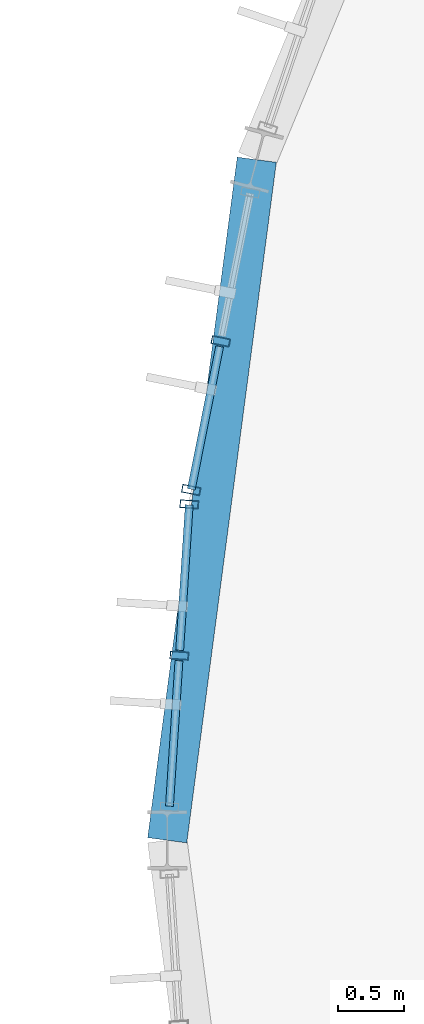
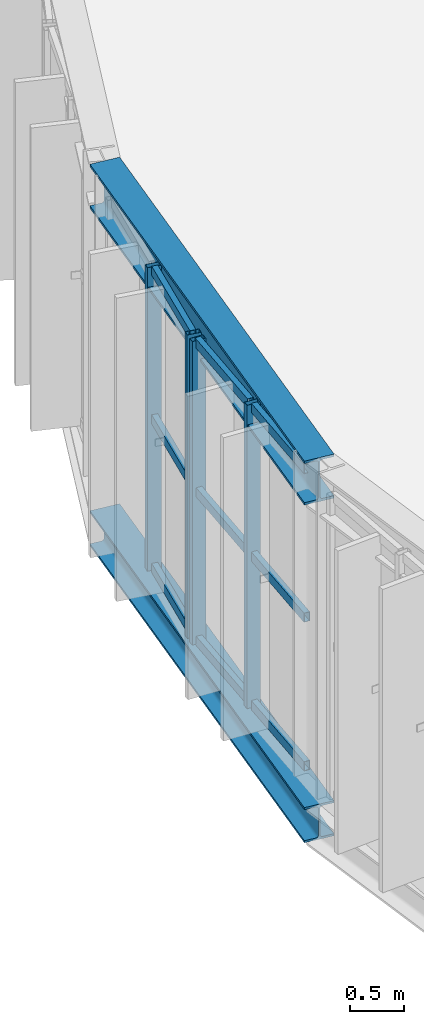
# One storey, part 17 of 152: 13 members, 2 beams, 2 elements without a shape of their own.
"""IFC4 building model written with IfcOpenShell, lengths in metres."""

from ifc_helpers import new_model, si_unit, derived_unit, direction, frame, origin, origin_2d, place, context, subcontext, project, spatial, hollow_rectangle, i_section, extrude, material, material_profile, profile_set, type_object, element, aggregate, save


model = new_model("IFC4")

# Units and contexts
model_context = context("Model", 3, precision=1e-05, world=origin(), true_north=direction((0.0, 1.0)))
body_context = subcontext(model_context, "Body", "Model", "MODEL_VIEW")
ifc_project = project(units=[si_unit("LENGTHUNIT", "METRE"), si_unit("AREAUNIT", "SQUARE_METRE"), si_unit("VOLUMEUNIT", "CUBIC_METRE"), si_unit("PLANEANGLEUNIT", "RADIAN"), si_unit("MASSUNIT", "GRAM", prefix="KILO"), si_unit("THERMODYNAMICTEMPERATUREUNIT", "KELVIN"), si_unit("TIMEUNIT", "SECOND"), derived_unit("THERMALTRANSMITTANCEUNIT", [(si_unit("MASSUNIT", "GRAM", prefix="KILO"), 1), (si_unit("THERMODYNAMICTEMPERATUREUNIT", "KELVIN"), -1), (si_unit("TIMEUNIT", "SECOND"), -3)])], contexts=[model_context])

# Site, building, storey
site_placement = place(None, origin())
site = spatial("IfcSite", under=ifc_project, at=site_placement, CompositionType="ELEMENT")
building_placement = place(site_placement, origin())
building = spatial("IfcBuilding", under=site, at=building_placement, Name="Cambertide Market Hall", CompositionType="ELEMENT")
storey_placement = place(building_placement, frame((0.0, 0.0, 5.39990234375)))
storey = spatial("IfcBuildingStorey", under=building, at=storey_placement, Name="L02", CompositionType="ELEMENT", Elevation=5.39990234375)

# Curtain wall, members
ifc_material_1 = material(Name="Marine Anodized Aluminium 6063-T6 AA25", Category="aluminium")
curtain_wall_type = type_object("IfcCurtainWallType", Name="Lantern Apse Chord Upper Curtain Wall", PredefinedType="USERDEFINED", material=ifc_material_1)
curtain_wall_1_placement = place(storey_placement, origin())
curtain_wall_1 = element("IfcCurtainWall", 1, at=curtain_wall_1_placement, inside=storey, type_object=curtain_wall_type, Name="Level 2 Curtain Wall CW-V1AW-L02-11", ObjectType="UNITIZED CURTAIN WALL", PredefinedType="USERDEFINED")
ifc_material_2 = material(Name="Champagne Marine Anodized Aluminium 6063-T6 AA25", Category="aluminium")
ifc_material_profile_1 = material_profile(ifc_material_2, hollow_rectangle(XDim=0.06005859375, YDim=0.139892578125, WallThickness=0.00341796875, at=origin_2d()), Name="ALU MULLION 60x140")
ifc_profile_set_1 = profile_set([ifc_material_profile_1], Name="Champagne Marine Anodized Aluminium 6063-T6 AA25")
member_type_1 = type_object("IfcMemberType", Name="Curtain Wall Mullion ALU MULLION 60x140", PredefinedType="MULLION", material=ifc_profile_set_1)
member_1_placement = place(storey_placement, frame((22.181884765625, 74.66455078125, 0.0), z_axis=(0.0, 0.0, 1.0), x_axis=(0.195090068226, 0.980785330885, 0.0)))
member_1 = element("IfcMember", 2, at=member_1_placement, type_object=member_type_1, Name="CW-V1AW-L02-11 Mullion 1", PredefinedType="MULLION", context=body_context, shape_type="SweptSolid", body=[
    extrude(hollow_rectangle(XDim=0.06005859375, YDim=0.139892578125, WallThickness=0.00341796875, at=origin_2d()), origin(), (0.0, 0.0, 1.0), 3.4501953125),
])
member_2_placement = place(storey_placement, frame((22.40673828125, 75.79541015625, 0.0), z_axis=(0.0, 0.0, 1.0), x_axis=(0.195090068226, 0.980785330885, 0.0)))
member_2 = element("IfcMember", 3, at=member_2_placement, type_object=member_type_1, Name="CW-V1AW-L02-11 Mullion 2", PredefinedType="MULLION", context=body_context, shape_type="SweptSolid", body=[
    extrude(hollow_rectangle(XDim=0.06005859375, YDim=0.139892578125, WallThickness=0.00341796875, at=origin_2d()), origin(), (0.0, 0.0, 1.0), 3.4501953125),
])

curtain_wall_2_placement = place(storey_placement, origin())
curtain_wall_2 = element("IfcCurtainWall", 4, at=curtain_wall_2_placement, inside=storey, type_object=curtain_wall_type, Name="Level 2 Curtain Wall CW-V1AW-L02-12", ObjectType="UNITIZED CURTAIN WALL", PredefinedType="USERDEFINED")
member_3_placement = place(storey_placement, frame((22.092041015625, 73.405029296875, 0.0), z_axis=(0.0, 0.0, 1.0), x_axis=(0.065403211921, 0.997858917819, 0.0)))
member_3 = element("IfcMember", 5, at=member_3_placement, type_object=member_type_1, Name="CW-V1AW-L02-12 Mullion 2", PredefinedType="MULLION", context=body_context, shape_type="SweptSolid", body=[
    extrude(hollow_rectangle(XDim=0.06005859375, YDim=0.139892578125, WallThickness=0.00341796875, at=origin_2d()), origin(), (0.0, 0.0, 1.0), 3.4501953125),
])
member_4_placement = place(storey_placement, frame((22.16748046875, 74.5556640625, 0.0), z_axis=(0.0, 0.0, 1.0), x_axis=(0.065403211921, 0.997858917819, 0.0)))
member_4 = element("IfcMember", 6, at=member_4_placement, type_object=member_type_1, Name="CW-V1AW-L02-12 Mullion 3", PredefinedType="MULLION", context=body_context, shape_type="SweptSolid", body=[
    extrude(hollow_rectangle(XDim=0.06005859375, YDim=0.139892578125, WallThickness=0.00341796875, at=origin_2d()), origin(), (0.0, 0.0, 1.0), 3.4501953125),
])

# Member
ifc_material_3 = material(Name="Champagne Marine Anodized Aluminium 6063-T6 AA25", Category="aluminium")
ifc_material_profile_2 = material_profile(ifc_material_3, hollow_rectangle(XDim=0.06005859375, YDim=0.10498046875, WallThickness=0.0029296875, at=origin_2d()), Name="ALU TRANSOM 60x105")
ifc_profile_set_2 = profile_set([ifc_material_profile_2], Name="Champagne Marine Anodized Aluminium 6063-T6 AA25")
member_type_2 = type_object("IfcMemberType", Name="Curtain Wall Transom ALU TRANSOM 60x105", PredefinedType="USERDEFINED", material=ifc_profile_set_2)
member_5_placement = place(storey_placement, frame((22.182861328125, 74.66943359375, 0.03515625), z_axis=(0.195014235999, 0.980800411785, 0.0), x_axis=(-0.980800411785, 0.195014235999, 0.0)))
member_5 = element("IfcMember", 7, at=member_5_placement, type_object=member_type_2, Name="CW-V1AW-L02-11 Transom 1-1", ObjectType="TRANSOM", PredefinedType="USERDEFINED", context=body_context, shape_type="SweptSolid", body=[
    extrude(hollow_rectangle(XDim=0.06005859375, YDim=0.10498046875, WallThickness=0.0029296875, at=origin_2d()), origin(), (0.0, 0.0, 1.0), 1.10791015625),
])

member_6_placement = place(storey_placement, frame((22.182861328125, 74.66943359375, 1.72509765625), z_axis=(0.195014235999, 0.980800411785, 0.0), x_axis=(-0.980800411785, 0.195014235999, 0.0)))
member_6 = element("IfcMember", 8, at=member_6_placement, type_object=member_type_2, Name="CW-V1AW-L02-11 Transom 2-1", ObjectType="TRANSOM", PredefinedType="USERDEFINED", context=body_context, shape_type="SweptSolid", body=[
    extrude(hollow_rectangle(XDim=0.06005859375, YDim=0.10498046875, WallThickness=0.0029296875, at=origin_2d()), origin(), (0.0, 0.0, 1.0), 1.10791015625),
])

member_7_placement = place(storey_placement, frame((22.182861328125, 74.66943359375, 3.4150390625), z_axis=(0.195014235999, 0.980800411785, 0.0), x_axis=(-0.980800411785, 0.195014235999, 0.0)))
member_7 = element("IfcMember", 9, at=member_7_placement, type_object=member_type_2, Name="CW-V1AW-L02-11 Transom 3-1", ObjectType="TRANSOM", PredefinedType="USERDEFINED", context=body_context, shape_type="SweptSolid", body=[
    extrude(hollow_rectangle(XDim=0.06005859375, YDim=0.10498046875, WallThickness=0.0029296875, at=origin_2d()), origin(), (0.0, 0.0, 1.0), 1.10791015625),
])

aggregate(curtain_wall_1, [member_1, member_2, member_5, member_6, member_7])

member_8_placement = place(storey_placement, frame((22.01708984375, 72.259521484375, 0.03515625), z_axis=(0.065217451634, 0.997871075842, 0.0), x_axis=(-0.997871075842, 0.065217451634, 0.0)))
member_8 = element("IfcMember", 10, at=member_8_placement, type_object=member_type_2, Name="CW-V1AW-L02-12 Transom 1-1", ObjectType="TRANSOM", PredefinedType="USERDEFINED", context=body_context, shape_type="SweptSolid", body=[
    extrude(hollow_rectangle(XDim=0.06005859375, YDim=0.10498046875, WallThickness=0.0029296875, at=origin_2d()), origin(), (0.0, 0.0, 1.0), 1.108154296875),
])

member_9_placement = place(storey_placement, frame((22.0947265625, 73.445068359375, 0.03515625), z_axis=(0.065451228695, 0.997855769469, 0.0), x_axis=(-0.997855769469, 0.065451228695, 0.0)))
member_9 = element("IfcMember", 11, at=member_9_placement, type_object=member_type_2, Name="CW-V1AW-L02-12 Transom 1-2", ObjectType="TRANSOM", PredefinedType="USERDEFINED", context=body_context, shape_type="SweptSolid", body=[
    extrude(hollow_rectangle(XDim=0.06005859375, YDim=0.10498046875, WallThickness=0.0029296875, at=origin_2d()), origin(), (0.0, 0.0, 1.0), 1.10791015625),
])

member_10_placement = place(storey_placement, frame((22.01708984375, 72.259521484375, 1.72509765625), z_axis=(0.065217451634, 0.997871075842, 0.0), x_axis=(-0.997871075842, 0.065217451634, 0.0)))
member_10 = element("IfcMember", 12, at=member_10_placement, type_object=member_type_2, Name="CW-V1AW-L02-12 Transom 2-1", ObjectType="TRANSOM", PredefinedType="USERDEFINED", context=body_context, shape_type="SweptSolid", body=[
    extrude(hollow_rectangle(XDim=0.06005859375, YDim=0.10498046875, WallThickness=0.0029296875, at=origin_2d()), origin(), (0.0, 0.0, 1.0), 1.108154296875),
])

member_11_placement = place(storey_placement, frame((22.0947265625, 73.445068359375, 1.72509765625), z_axis=(0.065451228695, 0.997855769469, 0.0), x_axis=(-0.997855769469, 0.065451228695, 0.0)))
member_11 = element("IfcMember", 13, at=member_11_placement, type_object=member_type_2, Name="CW-V1AW-L02-12 Transom 2-2", ObjectType="TRANSOM", PredefinedType="USERDEFINED", context=body_context, shape_type="SweptSolid", body=[
    extrude(hollow_rectangle(XDim=0.06005859375, YDim=0.10498046875, WallThickness=0.0029296875, at=origin_2d()), origin(), (0.0, 0.0, 1.0), 1.10791015625),
])

member_12_placement = place(storey_placement, frame((22.01708984375, 72.259521484375, 3.4150390625), z_axis=(0.065217451634, 0.997871075842, 0.0), x_axis=(-0.997871075842, 0.065217451634, 0.0)))
member_12 = element("IfcMember", 14, at=member_12_placement, type_object=member_type_2, Name="CW-V1AW-L02-12 Transom 3-1", ObjectType="TRANSOM", PredefinedType="USERDEFINED", context=body_context, shape_type="SweptSolid", body=[
    extrude(hollow_rectangle(XDim=0.06005859375, YDim=0.10498046875, WallThickness=0.0029296875, at=origin_2d()), origin(), (0.0, 0.0, 1.0), 1.108154296875),
])

member_13_placement = place(storey_placement, frame((22.0947265625, 73.445068359375, 3.4150390625), z_axis=(0.065451228695, 0.997855769469, 0.0), x_axis=(-0.997855769469, 0.065451228695, 0.0)))
member_13 = element("IfcMember", 15, at=member_13_placement, type_object=member_type_2, Name="CW-V1AW-L02-12 Transom 3-2", ObjectType="TRANSOM", PredefinedType="USERDEFINED", context=body_context, shape_type="SweptSolid", body=[
    extrude(hollow_rectangle(XDim=0.06005859375, YDim=0.10498046875, WallThickness=0.0029296875, at=origin_2d()), origin(), (0.0, 0.0, 1.0), 1.10791015625),
])

aggregate(curtain_wall_2, [member_3, member_4, member_8, member_9, member_10, member_11, member_12, member_13])

# Beams
ifc_material_4 = material(Name="Steel S355", Category="steel")
ifc_material_profile_3 = material_profile(ifc_material_4, i_section(OverallWidth=0.300048828125, OverallDepth=0.5, WebThickness=0.014404296875, FlangeThickness=0.028076171875, FilletRadius=0.027099609375, at=origin_2d()), Name="HEB 500")
ifc_profile_set_3 = profile_set([ifc_material_profile_3], Name="Steel S355")
beam_type_1 = type_object("IfcBeamType", Name="Exterior Steel Girder HEB 500", PredefinedType="BEAM", material=ifc_profile_set_3)
beam_1_placement = place(storey_placement, frame((22.681396484375, 77.17626953125, 3.4501953125), z_axis=(-0.130512574825, -0.991446654043, 0.0), x_axis=(0.991446654043, -0.130512574825, 0.0)))
element("IfcBeam", 16, at=beam_1_placement, inside=storey, type_object=beam_type_1, Name="Level 2 Beam EAVE-V1AW-06", PredefinedType="BEAM", context=body_context, shape_type="SweptSolid", body=[
    extrude(i_section(OverallWidth=0.300048828125, OverallDepth=0.5, WebThickness=0.014404296875, FlangeThickness=0.028076171875, FilletRadius=0.027099609375, at=origin_2d()), origin(), (0.0, 0.0, 1.0), 5.220947265625),
])
ifc_material_5 = material(Name="Steel S355", Category="steel")
ifc_material_profile_4 = material_profile(ifc_material_5, i_section(OverallWidth=0.300048828125, OverallDepth=0.39990234375, WebThickness=0.013427734375, FlangeThickness=0.02392578125, FilletRadius=0.027099609375, at=origin_2d()), Name="HEB 400")
ifc_profile_set_4 = profile_set([ifc_material_profile_4], Name="Steel S355")
beam_type_2 = type_object("IfcBeamType", Name="Steel Girder HEB 400", PredefinedType="BEAM", material=ifc_profile_set_4)
beam_2_placement = place(storey_placement, frame((22.681396484375, 77.17626953125, -0.43994140625), z_axis=(-0.130512574825, -0.991446654043, 0.0), x_axis=(0.991446654043, -0.130512574825, 0.0)))
element("IfcBeam", 17, at=beam_2_placement, inside=storey, type_object=beam_type_2, Name="Level 2 Beam BM-V1AW-L02-6", PredefinedType="BEAM", context=body_context, shape_type="SweptSolid", body=[
    extrude(i_section(OverallWidth=0.300048828125, OverallDepth=0.39990234375, WebThickness=0.013427734375, FlangeThickness=0.02392578125, FilletRadius=0.027099609375, at=origin_2d()), origin(), (0.0, 0.0, 1.0), 5.220947265625),
])

save(model, "model.ifc")
